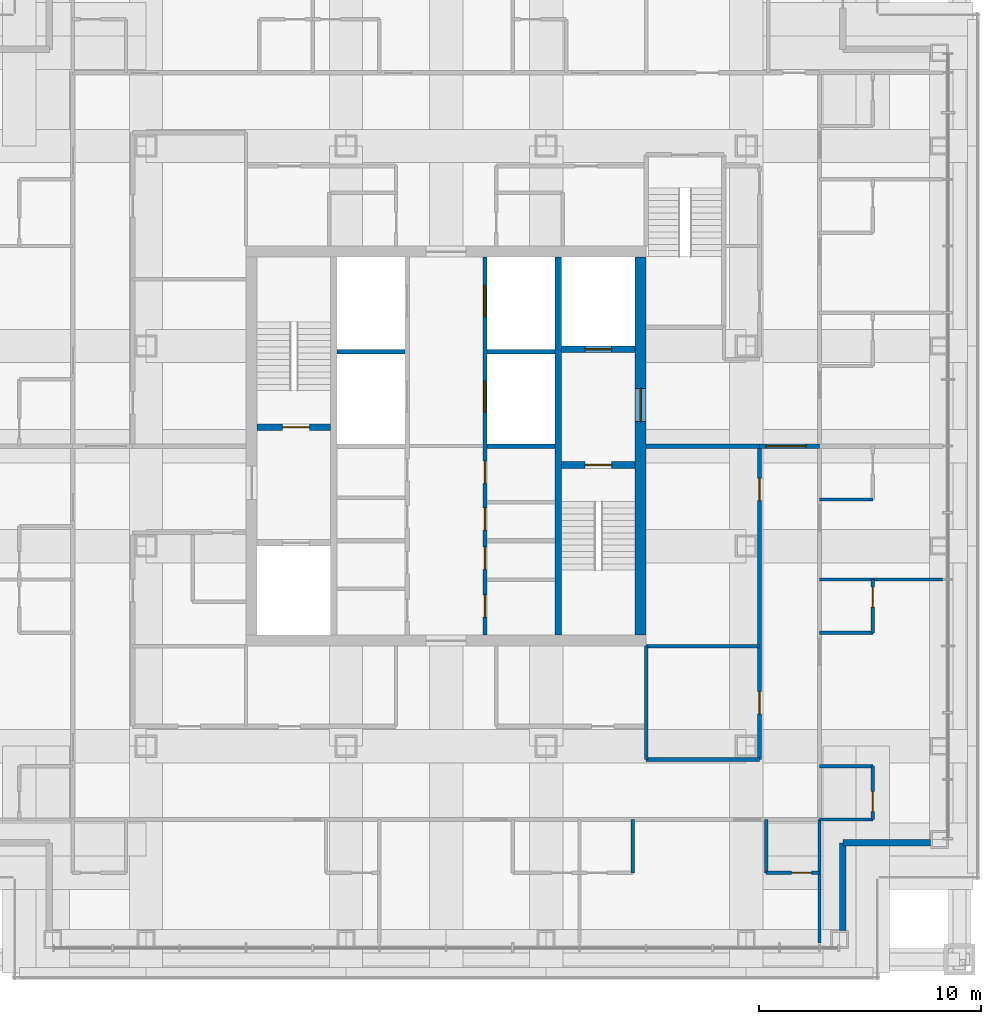
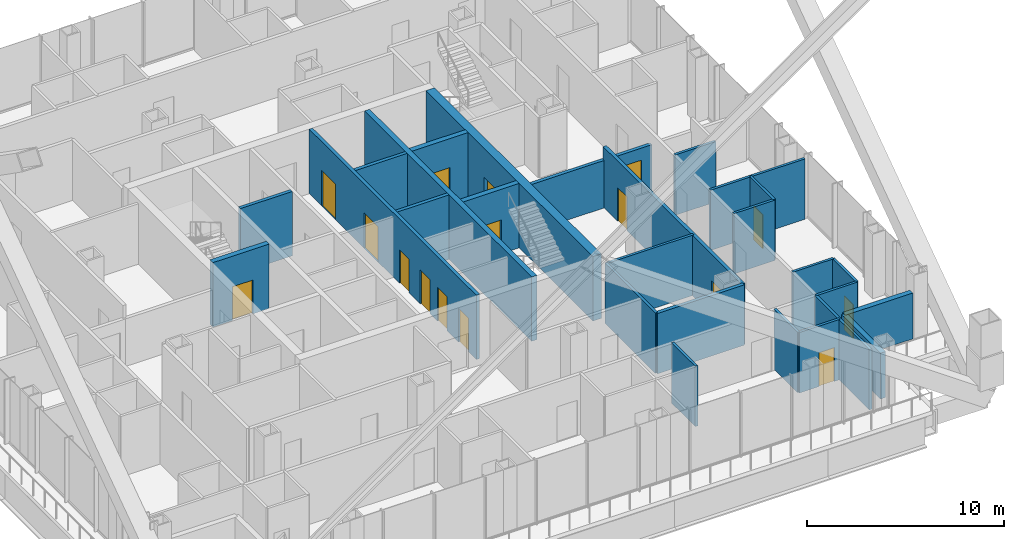
# One storey, part 13 of 18: 28 walls, 16 doors, 16 openings.
"""IFC4 building model written with IfcOpenShell, lengths in metres."""

from ifc_helpers import new_model, si_unit, direction, frame, frame_2d, origin, place, context, subcontext, project, spatial, rectangle, extrude, material, layer, layer_set, type_object, element, fill, save


model = new_model("IFC4")

# Units and contexts
model_context = context("Model", 3, precision=1e-05, world=origin(), true_north=direction((0.0, 1.0)))
body_context = subcontext(model_context, "Body", "Model", "MODEL_VIEW")
ifc_project = project(units=[si_unit("LENGTHUNIT", "METRE"), si_unit("AREAUNIT", "SQUARE_METRE"), si_unit("VOLUMEUNIT", "CUBIC_METRE"), si_unit("PLANEANGLEUNIT", "RADIAN"), si_unit("MASSUNIT", "GRAM", prefix="KILO")], contexts=[model_context])

# Site, building, storey
site_placement = place(None, origin())
site = spatial("IfcSite", under=ifc_project, at=site_placement, CompositionType="ELEMENT")
building_placement = place(site_placement, origin())
building = spatial("IfcBuilding", under=site, at=building_placement, Name="Malebo Sky Hospital", CompositionType="ELEMENT")
storey_placement = place(building_placement, frame((0.0, 0.0, 177.0)))
storey = spatial("IfcBuildingStorey", under=building, at=storey_placement, Name="L42", CompositionType="ELEMENT", Elevation=177.0)

# Wall, openings, doors
ifc_material_1 = material(Name="Concrete C80/95", Category="concrete")
ifc_layer_1 = layer(ifc_material_1, 0.199951171875)
ifc_layer_set_1 = layer_set([ifc_layer_1], Name="CORE INNER WALL 200")
wall_type_1 = type_object("IfcWallType", Name="CORE INNER WALL 200", PredefinedType="SHEAR", material=ifc_layer_set_1)
wall_1_placement = place(storey_placement, frame((61.75, 53.5, 0.0), z_axis=(0.0, 0.0, 1.0), x_axis=(0.0, 1.0, 0.0)))
wall_1 = element("IfcWall", 1, at=wall_1_placement, inside=storey, type_object=wall_type_1, Name="Core wall LE L42", PredefinedType="SHEAR", context=body_context, shape_type="SweptSolid", body=[
    extrude(rectangle(XDim=17.0, YDim=0.199951171875, at=frame_2d((8.5, 0.0))), origin(), (0.0, 0.0, 1.0), 4.0),
])
opening_1_placement = place(wall_1_placement, frame((0.8076171875, 0.0, 0.0)))
opening_1 = element("IfcOpeningElement", 2, at=opening_1_placement, cuts=wall_1, Name="Opening D17", PredefinedType="OPENING", context=body_context, shape_type="SweptSolid", body=[
    extrude(rectangle(XDim=1.0, YDim=2.10009765625, at=frame_2d((0.5, 1.050048828125))), frame((0.0, 0.10986328125, 0.0), z_axis=(0.0, -1.0, 0.0), x_axis=(1.0, 0.0, 0.0)), (0.0, 0.0, 1.0), 0.219970703125),
])
opening_2_placement = place(wall_1_placement, frame((2.95751953125, 0.0, 0.0)))
opening_2 = element("IfcOpeningElement", 3, at=opening_2_placement, cuts=wall_1, Name="Opening D17", PredefinedType="OPENING", context=body_context, shape_type="SweptSolid", body=[
    extrude(rectangle(XDim=1.0, YDim=2.10009765625, at=frame_2d((0.5, 1.050048828125))), frame((0.0, 0.10986328125, 0.0), z_axis=(0.0, -1.0, 0.0), x_axis=(1.0, 0.0, 0.0)), (0.0, 0.0, 1.0), 0.219970703125),
])
opening_3_placement = place(wall_1_placement, frame((4.722412109375, 0.0, 0.0)))
opening_3 = element("IfcOpeningElement", 4, at=opening_3_placement, cuts=wall_1, Name="Opening D17", PredefinedType="OPENING", context=body_context, shape_type="SweptSolid", body=[
    extrude(rectangle(XDim=1.0, YDim=2.10009765625, at=frame_2d((0.5, 1.050048828125))), frame((0.0, 0.10986328125, 0.0), z_axis=(0.0, -1.0, 0.0), x_axis=(1.0, 0.0, 0.0)), (0.0, 0.0, 1.0), 0.219970703125),
])
opening_4_placement = place(wall_1_placement, frame((6.822509765625, 0.0, 0.0)))
opening_4 = element("IfcOpeningElement", 5, at=opening_4_placement, cuts=wall_1, Name="Opening D17", PredefinedType="OPENING", context=body_context, shape_type="SweptSolid", body=[
    extrude(rectangle(XDim=1.0, YDim=2.10009765625, at=frame_2d((0.5, 1.050048828125))), frame((0.0, 0.10986328125, 0.0), z_axis=(0.0, -1.0, 0.0), x_axis=(1.0, 0.0, 0.0)), (0.0, 0.0, 1.0), 0.219970703125),
])
opening_5_placement = place(wall_1_placement, frame((10.02490234375, 0.0, 0.0)))
opening_5 = element("IfcOpeningElement", 6, at=opening_5_placement, cuts=wall_1, Name="Opening LD1", PredefinedType="OPENING", context=body_context, shape_type="SweptSolid", body=[
    extrude(rectangle(XDim=1.39990234375, YDim=2.199951171875, at=frame_2d((0.699951171875, 1.10009765625))), frame((0.0, 0.10986328125, 0.0), z_axis=(0.0, -1.0, 0.0), x_axis=(1.0, 0.0, 0.0)), (0.0, 0.0, 1.0), 0.219970703125),
])
opening_6_placement = place(wall_1_placement, frame((14.324951171875, 0.0, 0.0)))
opening_6 = element("IfcOpeningElement", 7, at=opening_6_placement, cuts=wall_1, Name="Opening LD1", PredefinedType="OPENING", context=body_context, shape_type="SweptSolid", body=[
    extrude(rectangle(XDim=1.39990234375, YDim=2.199951171875, at=frame_2d((0.699951171875, 1.10009765625))), frame((0.0, 0.10986328125, 0.0), z_axis=(0.0, -1.0, 0.0), x_axis=(1.0, 0.0, 0.0)), (0.0, 0.0, 1.0), 0.219970703125),
])
ifc_material_2 = material(Name="Hardwood-faced door leaf in steel frame", Category="steel")
door_type_1 = type_object("IfcDoorType", Name="FIRE DOOR 1000", OperationType="SINGLE_SWING_LEFT", PredefinedType="DOOR", material=ifc_material_2)
door_1_placement = place(opening_1_placement, origin())
door_1 = element("IfcDoor", 8, at=door_1_placement, inside=storey, type_object=door_type_1, Name="Cleaning equipment store door", OperationType="SINGLE_SWING_RIGHT", OverallHeight=2.10009765625, OverallWidth=1.0, PredefinedType="DOOR", context=body_context, shape_type="SweptSolid", body=[
    extrude(rectangle(XDim=1.0, YDim=2.10009765625, at=frame_2d((0.5, 1.050048828125))), frame((0.0, 0.02490234375, 0.0), z_axis=(0.0, -1.0, 0.0), x_axis=(1.0, 0.0, 0.0)), (0.0, 0.0, 1.0), 0.050048828125),
])
fill(opening_1, door_1)
door_2_placement = place(opening_2_placement, origin())
door_2 = element("IfcDoor", 9, at=door_2_placement, inside=storey, type_object=door_type_1, Name="Archive store door", OperationType="SINGLE_SWING_RIGHT", OverallHeight=2.10009765625, OverallWidth=1.0, PredefinedType="DOOR", context=body_context, shape_type="SweptSolid", body=[
    extrude(rectangle(XDim=1.0, YDim=2.10009765625, at=frame_2d((0.5, 1.050048828125))), frame((0.0, 0.02490234375, 0.0), z_axis=(0.0, -1.0, 0.0), x_axis=(1.0, 0.0, 0.0)), (0.0, 0.0, 1.0), 0.050048828125),
])
fill(opening_2, door_2)
door_3_placement = place(opening_3_placement, origin())
door_3 = element("IfcDoor", 10, at=door_3_placement, inside=storey, type_object=door_type_1, Name="General store door", OperationType="SINGLE_SWING_RIGHT", OverallHeight=2.10009765625, OverallWidth=1.0, PredefinedType="DOOR", context=body_context, shape_type="SweptSolid", body=[
    extrude(rectangle(XDim=1.0, YDim=2.10009765625, at=frame_2d((0.5, 1.050048828125))), frame((0.0, 0.02490234375, 0.0), z_axis=(0.0, -1.0, 0.0), x_axis=(1.0, 0.0, 0.0)), (0.0, 0.0, 1.0), 0.050048828125),
])
fill(opening_3, door_3)
door_4_placement = place(opening_4_placement, origin())
door_4 = element("IfcDoor", 11, at=door_4_placement, inside=storey, type_object=door_type_1, Name="Records store door", OperationType="SINGLE_SWING_RIGHT", OverallHeight=2.10009765625, OverallWidth=1.0, PredefinedType="DOOR", context=body_context, shape_type="SweptSolid", body=[
    extrude(rectangle(XDim=1.0, YDim=2.10009765625, at=frame_2d((0.5, 1.050048828125))), frame((0.0, 0.02490234375, 0.0), z_axis=(0.0, -1.0, 0.0), x_axis=(1.0, 0.0, 0.0)), (0.0, 0.0, 1.0), 0.050048828125),
])
fill(opening_4, door_4)
ifc_material_3 = material(Name="Stainless steel sliding landing door", Category="steel")
door_type_2 = type_object("IfcDoorType", Name="LIFT LANDING DOOR 1400", OperationType="SLIDING_TO_LEFT", PredefinedType="DOOR", material=ifc_material_3)
door_5_placement = place(opening_5_placement, origin())
door_5 = element("IfcDoor", 12, at=door_5_placement, inside=storey, type_object=door_type_2, Name="Lift E3 landing door", OperationType="SLIDING_TO_LEFT", OverallHeight=2.199951171875, OverallWidth=1.39990234375, PredefinedType="DOOR", context=body_context, shape_type="SweptSolid", body=[
    extrude(rectangle(XDim=1.39990234375, YDim=2.199951171875, at=frame_2d((0.699951171875, 1.10009765625))), frame((0.0, 0.02490234375, 0.0), z_axis=(0.0, -1.0, 0.0), x_axis=(1.0, 0.0, 0.0)), (0.0, 0.0, 1.0), 0.050048828125),
])
fill(opening_5, door_5)
door_6_placement = place(opening_6_placement, origin())
door_6 = element("IfcDoor", 13, at=door_6_placement, inside=storey, type_object=door_type_2, Name="Lift E4 landing door", OperationType="SLIDING_TO_LEFT", OverallHeight=2.199951171875, OverallWidth=1.39990234375, PredefinedType="DOOR", context=body_context, shape_type="SweptSolid", body=[
    extrude(rectangle(XDim=1.39990234375, YDim=2.199951171875, at=frame_2d((0.699951171875, 1.10009765625))), frame((0.0, 0.02490234375, 0.0), z_axis=(0.0, -1.0, 0.0), x_axis=(1.0, 0.0, 0.0)), (0.0, 0.0, 1.0), 0.050048828125),
])
fill(opening_6, door_6)

# Walls
for number, where, z_axis, x_axis, name in (
    (14, (61.85009765625, 62.0, 0.0), (0.0, 0.0, 1.0), (1.0, 0.0, 0.0), "Core wall SE1 L42"),
    (15, (55.10009765625, 66.25, 0.0), (0.0, 0.0, 1.0), (1.0, 0.0, 0.0), "Core wall SW2 L42"),
    (16, (61.85009765625, 66.25, 0.0), (0.0, 0.0, 1.0), (1.0, 0.0, 0.0), "Core wall SE2 L42"),
):
    element("IfcWall", number, at=place(storey_placement, frame(where, z_axis=z_axis, x_axis=x_axis)), inside=storey, type_object=wall_type_1, Name=name, PredefinedType="SHEAR", context=body_context, shape_type="SweptSolid", body=[
        extrude(rectangle(XDim=3.0498046875, YDim=0.199951171875, at=frame_2d((1.52490234375, 0.0))), origin(), (0.0, 0.0, 1.0), 4.0),
    ])
ifc_layer_2 = layer(ifc_material_1, 0.300048828125)
ifc_layer_set_2 = layer_set([ifc_layer_2], Name="CORE INNER WALL 300")
wall_type_2 = type_object("IfcWallType", Name="CORE INNER WALL 300", PredefinedType="SHEAR", material=ifc_layer_set_2)
wall_2_placement = place(storey_placement, frame((65.050048828125, 53.5, 0.0), z_axis=(0.0, 0.0, 1.0), x_axis=(0.0, 1.0, 0.0)))
element("IfcWall", 17, at=wall_2_placement, inside=storey, type_object=wall_type_2, Name="Core wall XE L42", PredefinedType="SHEAR", context=body_context, shape_type="SweptSolid", body=[
    extrude(rectangle(XDim=17.0, YDim=0.300048828125, at=frame_2d((8.5, 0.0))), origin(), (0.0, 0.0, 1.0), 4.0),
])

# Wall, opening, door
wall_3_placement = place(storey_placement, frame((51.5, 62.85009765625, 0.0), z_axis=(0.0, 0.0, 1.0), x_axis=(1.0, 0.0, 0.0)))
wall_3 = element("IfcWall", 18, at=wall_3_placement, inside=storey, type_object=wall_type_2, Name="Core wall W1 L42", PredefinedType="SHEAR", context=body_context, shape_type="SweptSolid", body=[
    extrude(rectangle(XDim=3.300048828125, YDim=0.300048828125, at=frame_2d((1.64990234375, 0.0))), origin(), (0.0, 0.0, 1.0), 4.0),
])
opening_7_placement = place(wall_3_placement, frame((1.14990234375, 0.0, 0.0)))
opening_7 = element("IfcOpeningElement", 19, at=opening_7_placement, cuts=wall_3, Name="Opening D08", PredefinedType="OPENING", context=body_context, shape_type="SweptSolid", body=[
    extrude(rectangle(XDim=1.199951171875, YDim=2.10009765625, at=frame_2d((0.60009765625, 1.050048828125))), frame((0.0, 0.159912109375, 0.0), z_axis=(0.0, -1.0, 0.0), x_axis=(1.0, 0.0, 0.0)), (0.0, 0.0, 1.0), 0.320068359375),
])
door_type_3 = type_object("IfcDoorType", Name="STAIR DOOR 1200", OperationType="SINGLE_SWING_LEFT", PredefinedType="DOOR", material=ifc_material_2)
door_7_placement = place(opening_7_placement, origin())
door_7 = element("IfcDoor", 20, at=door_7_placement, inside=storey, type_object=door_type_3, Name="Stair S1 door", OperationType="SINGLE_SWING_RIGHT", OverallHeight=2.10009765625, OverallWidth=1.199951171875, PredefinedType="DOOR", context=body_context, shape_type="SweptSolid", body=[
    extrude(rectangle(XDim=1.199951171875, YDim=2.10009765625, at=frame_2d((0.60009765625, 1.050048828125))), frame((0.0, 0.02490234375, 0.0), z_axis=(0.0, -1.0, 0.0), x_axis=(1.0, 0.0, 0.0)), (0.0, 0.0, 1.0), 0.050048828125),
])
fill(opening_7, door_7)

wall_4_placement = place(storey_placement, frame((65.199951171875, 61.14990234375, 0.0), z_axis=(0.0, 0.0, 1.0), x_axis=(1.0, 0.0, 0.0)))
wall_4 = element("IfcWall", 21, at=wall_4_placement, inside=storey, type_object=wall_type_2, Name="Core wall E1 L42", PredefinedType="SHEAR", context=body_context, shape_type="SweptSolid", body=[
    extrude(rectangle(XDim=3.300048828125, YDim=0.300048828125, at=frame_2d((1.64990234375, 0.0))), origin(), (0.0, 0.0, 1.0), 4.0),
])
opening_8_placement = place(wall_4_placement, frame((1.050048828125, 0.0, 0.0)))
opening_8 = element("IfcOpeningElement", 22, at=opening_8_placement, cuts=wall_4, Name="Opening D08", PredefinedType="OPENING", context=body_context, shape_type="SweptSolid", body=[
    extrude(rectangle(XDim=1.199951171875, YDim=2.10009765625, at=frame_2d((0.60009765625, 1.050048828125))), frame((0.0, 0.159912109375, 0.0), z_axis=(0.0, -1.0, 0.0), x_axis=(1.0, 0.0, 0.0)), (0.0, 0.0, 1.0), 0.320068359375),
])
door_8_placement = place(opening_8_placement, origin())
door_8 = element("IfcDoor", 23, at=door_8_placement, inside=storey, type_object=door_type_3, Name="Stair S2 door", OperationType="SINGLE_SWING_LEFT", OverallHeight=2.10009765625, OverallWidth=1.199951171875, PredefinedType="DOOR", context=body_context, shape_type="SweptSolid", body=[
    extrude(rectangle(XDim=1.199951171875, YDim=2.10009765625, at=frame_2d((0.60009765625, 1.050048828125))), frame((0.0, 0.02490234375, 0.0), z_axis=(0.0, -1.0, 0.0), x_axis=(1.0, 0.0, 0.0)), (0.0, 0.0, 1.0), 0.050048828125),
])
fill(opening_8, door_8)

wall_5_placement = place(storey_placement, frame((65.199951171875, 66.35009765625, 0.0), z_axis=(0.0, 0.0, 1.0), x_axis=(1.0, 0.0, 0.0)))
wall_5 = element("IfcWall", 24, at=wall_5_placement, inside=storey, type_object=wall_type_2, Name="Core wall E2 L42", PredefinedType="SHEAR", context=body_context, shape_type="SweptSolid", body=[
    extrude(rectangle(XDim=3.300048828125, YDim=0.300048828125, at=frame_2d((1.64990234375, 0.0))), origin(), (0.0, 0.0, 1.0), 4.0),
])
opening_9_placement = place(wall_5_placement, frame((1.050048828125, 0.0, 0.0)))
opening_9 = element("IfcOpeningElement", 25, at=opening_9_placement, cuts=wall_5, Name="Opening LD2", PredefinedType="OPENING", context=body_context, shape_type="SweptSolid", body=[
    extrude(rectangle(XDim=1.199951171875, YDim=2.199951171875, at=frame_2d((0.60009765625, 1.10009765625))), frame((0.0, 0.159912109375, 0.0), z_axis=(0.0, -1.0, 0.0), x_axis=(1.0, 0.0, 0.0)), (0.0, 0.0, 1.0), 0.320068359375),
])
door_type_4 = type_object("IfcDoorType", Name="FIRE-FIGHTING LIFT LANDING DOOR 1200", OperationType="SLIDING_TO_LEFT", PredefinedType="DOOR", material=ifc_material_3)
door_9_placement = place(opening_9_placement, origin())
door_9 = element("IfcDoor", 26, at=door_9_placement, inside=storey, type_object=door_type_4, Name="Lift FL2 landing door", OperationType="SLIDING_TO_LEFT", OverallHeight=2.199951171875, OverallWidth=1.199951171875, PredefinedType="DOOR", context=body_context, shape_type="SweptSolid", body=[
    extrude(rectangle(XDim=1.199951171875, YDim=2.199951171875, at=frame_2d((0.60009765625, 1.10009765625))), frame((0.0, 0.02490234375, 0.0), z_axis=(0.0, -1.0, 0.0), x_axis=(1.0, 0.0, 0.0)), (0.0, 0.0, 1.0), 0.050048828125),
])
fill(opening_9, door_9)

ifc_layer_3 = layer(ifc_material_1, 0.5)
ifc_layer_set_3 = layer_set([ifc_layer_3], Name="CORE WALL 500")
wall_type_3 = type_object("IfcWallType", Name="CORE WALL 500", PredefinedType="SHEAR", material=ifc_layer_set_3)
wall_6_placement = place(storey_placement, frame((68.75, 53.5, 0.0), z_axis=(0.0, 0.0, 1.0), x_axis=(0.0, 1.0, 0.0)))
wall_6 = element("IfcWall", 27, at=wall_6_placement, inside=storey, type_object=wall_type_3, Name="Core wall E L42", PredefinedType="SHEAR", context=body_context, shape_type="SweptSolid", body=[
    extrude(rectangle(XDim=17.0, YDim=0.5, at=frame_2d((8.5, 0.0))), origin(), (0.0, 0.0, 1.0), 4.0),
])
opening_10_placement = place(wall_6_placement, frame((9.60009765625, 0.0, 0.0)))
opening_10 = element("IfcOpeningElement", 28, at=opening_10_placement, cuts=wall_6, Name="Opening D07", PredefinedType="OPENING", context=body_context, shape_type="SweptSolid", body=[
    extrude(rectangle(XDim=1.5, YDim=2.199951171875, at=frame_2d((0.75, 1.10009765625))), frame((0.0, 0.260009765625, 0.0), z_axis=(0.0, -1.0, 0.0), x_axis=(1.0, 0.0, 0.0)), (0.0, 0.0, 1.0), 0.52001953125),
])
door_type_5 = type_object("IfcDoorType", Name="FIRE-FIGHTING LOBBY DOOR PAIR 1500", OperationType="DOUBLE_DOOR_SINGLE_SWING", PredefinedType="DOOR", material=ifc_material_2)
door_10_placement = place(opening_10_placement, origin())
door_10 = element("IfcDoor", 29, at=door_10_placement, inside=storey, type_object=door_type_5, Name="Fire-fighting lobby door east", OperationType="DOUBLE_DOOR_SINGLE_SWING", OverallHeight=2.199951171875, OverallWidth=1.5, PredefinedType="DOOR", context=body_context, shape_type="SweptSolid", body=[
    extrude(rectangle(XDim=1.5, YDim=2.199951171875, at=frame_2d((0.75, 1.10009765625))), frame((0.0, 0.02490234375, 0.0), z_axis=(0.0, -1.0, 0.0), x_axis=(1.0, 0.0, 0.0)), (0.0, 0.0, 1.0), 0.050048828125),
])
fill(opening_10, door_10)

# Wall
ifc_material_4 = material(Name="Gypsum board on steel studs", Category="steel")
ifc_layer_4 = layer(ifc_material_4, 0.199951171875)
ifc_layer_set_4 = layer_set([ifc_layer_4], Name="CORRIDOR WALL 200")
wall_type_4 = type_object("IfcWallType", Name="CORRIDOR WALL 200", PredefinedType="PARTITIONING", material=ifc_layer_set_4)
wall_7_placement = place(storey_placement, frame((74.10009765625, 47.89990234375, 0.0), z_axis=(0.0, 0.0, 1.0), x_axis=(-1.0, 0.0, 0.0)))
element("IfcWall", 30, at=wall_7_placement, inside=storey, type_object=wall_type_4, Name="Corridor Wall 200 SCIK", PredefinedType="PARTITIONING", context=body_context, shape_type="SweptSolid", body=[
    extrude(rectangle(XDim=5.10009765625, YDim=0.199951171875, at=frame_2d((2.550048828125, 0.0))), origin(), (0.0, 0.0, 1.0), 3.75),
])

# Wall, openings, doors
wall_8_placement = place(storey_placement, frame((74.10009765625, 62.0, 0.0), z_axis=(0.0, 0.0, 1.0), x_axis=(0.0, -1.0, 0.0)))
wall_8 = element("IfcWall", 31, at=wall_8_placement, inside=storey, type_object=wall_type_4, Name="Corridor Wall 200 ECI2", PredefinedType="PARTITIONING", context=body_context, shape_type="SweptSolid", body=[
    extrude(rectangle(XDim=14.10009765625, YDim=0.199951171875, at=frame_2d((7.050048828125, 0.0))), origin(), (0.0, 0.0, 1.0), 3.75),
])
opening_11_placement = place(wall_8_placement, frame((1.449951171875, 0.0, 0.0)))
opening_11 = element("IfcOpeningElement", 32, at=opening_11_placement, cuts=wall_8, Name="Opening D03", PredefinedType="OPENING", context=body_context, shape_type="SweptSolid", body=[
    extrude(rectangle(XDim=1.0, YDim=2.10009765625, at=frame_2d((0.5, 1.050048828125))), frame((0.0, 0.10986328125, 0.0), z_axis=(0.0, -1.0, 0.0), x_axis=(1.0, 0.0, 0.0)), (0.0, 0.0, 1.0), 0.219970703125),
])
opening_12_placement = place(wall_8_placement, frame((11.050048828125, 0.0, 0.0)))
opening_12 = element("IfcOpeningElement", 33, at=opening_12_placement, cuts=wall_8, Name="Opening D03", PredefinedType="OPENING", context=body_context, shape_type="SweptSolid", body=[
    extrude(rectangle(XDim=1.0, YDim=2.10009765625, at=frame_2d((0.5, 1.050048828125))), frame((0.0, 0.10986328125, 0.0), z_axis=(0.0, -1.0, 0.0), x_axis=(1.0, 0.0, 0.0)), (0.0, 0.0, 1.0), 0.219970703125),
])
door_type_6 = type_object("IfcDoorType", Name="ROOM DOOR 1000", OperationType="SINGLE_SWING_LEFT", PredefinedType="DOOR", material=ifc_material_2)
door_11_placement = place(opening_11_placement, origin())
door_11 = element("IfcDoor", 34, at=door_11_placement, inside=storey, type_object=door_type_6, Name="Nurse station door", OperationType="SINGLE_SWING_LEFT", OverallHeight=2.10009765625, OverallWidth=1.0, PredefinedType="DOOR", context=body_context, shape_type="SweptSolid", body=[
    extrude(rectangle(XDim=1.0, YDim=2.10009765625, at=frame_2d((0.5, 1.050048828125))), frame((0.0, 0.02490234375, 0.0), z_axis=(0.0, -1.0, 0.0), x_axis=(1.0, 0.0, 0.0)), (0.0, 0.0, 1.0), 0.050048828125),
])
fill(opening_11, door_11)
door_12_placement = place(opening_12_placement, origin())
door_12 = element("IfcDoor", 35, at=door_12_placement, inside=storey, type_object=door_type_6, Name="Ward office door", OperationType="SINGLE_SWING_RIGHT", OverallHeight=2.10009765625, OverallWidth=1.0, PredefinedType="DOOR", context=body_context, shape_type="SweptSolid", body=[
    extrude(rectangle(XDim=1.0, YDim=2.10009765625, at=frame_2d((0.5, 1.050048828125))), frame((0.0, 0.02490234375, 0.0), z_axis=(0.0, -1.0, 0.0), x_axis=(1.0, 0.0, 0.0)), (0.0, 0.0, 1.0), 0.050048828125),
])
fill(opening_12, door_12)

# Walls
ifc_material_5 = material(Name="Anodised aluminium rainscreen on steel framing", Category="steel")
ifc_layer_5 = layer(ifc_material_5, 0.300048828125)
ifc_layer_set_5 = layer_set([ifc_layer_5], Name="NOTCH RAINSCREEN WALL 300")
wall_type_5 = type_object("IfcWallType", Name="NOTCH RAINSCREEN WALL 300", PredefinedType="ELEMENTEDWALL", material=ifc_layer_set_5)
for number, where, z_axis, x_axis, name in (
    (36, (81.800048828125, 44.14990234375, 0.0), (0.0, 0.0, 1.0), (-1.0, 0.0, 0.0), "Notch rainscreen wall E1 L42"),
    (37, (77.85009765625, 44.14990234375, 0.0), (0.0, 0.0, 1.0), (0.0, -1.0, 0.0), "Notch rainscreen wall E2 L42"),
):
    element("IfcWall", number, at=place(storey_placement, frame(where, z_axis=z_axis, x_axis=x_axis)), inside=storey, type_object=wall_type_5, Name=name, PredefinedType="ELEMENTEDWALL", context=body_context, shape_type="SweptSolid", body=[
        extrude(rectangle(XDim=3.949951171875, YDim=0.300048828125, at=frame_2d((1.97509765625, 0.0))), origin(), (0.0, 0.0, 1.0), 2.85009765625),
    ])
ifc_layer_6 = layer(ifc_material_4, 0.14990234375)
ifc_layer_set_6 = layer_set([ifc_layer_6], Name="PARTITION 150")
wall_type_6 = type_object("IfcWallType", Name="PARTITION 150", PredefinedType="PARTITIONING", material=ifc_layer_set_6)
wall_9_placement = place(storey_placement, frame((76.800048828125, 45.199951171875, 0.0), z_axis=(0.0, 0.0, 1.0), x_axis=(0.0, -1.0, 0.0)))
element("IfcWall", 38, at=wall_9_placement, inside=storey, type_object=wall_type_6, Name="Partition 150 SP0", PredefinedType="PARTITIONING", context=body_context, shape_type="SweptSolid", body=[
    extrude(rectangle(XDim=5.550048828125, YDim=0.14990234375, at=frame_2d((2.77490234375, 0.0))), origin(), (0.0, 0.0, 1.0), 3.75),
])

# Wall, opening, door
wall_10_placement = place(storey_placement, frame((76.800048828125, 42.800048828125, 0.0), z_axis=(0.0, 0.0, 1.0), x_axis=(-1.0, 0.0, 0.0)))
wall_10 = element("IfcWall", 39, at=wall_10_placement, inside=storey, type_object=wall_type_6, Name="Partition 150 SE0F", PredefinedType="PARTITIONING", context=body_context, shape_type="SweptSolid", body=[
    extrude(rectangle(XDim=2.400146484375, YDim=0.14990234375, at=frame_2d((1.2001953125, 0.0))), origin(), (0.0, 0.0, 1.0), 3.75),
])
opening_13_placement = place(wall_10_placement, frame((0.35009765625, 0.0, 0.0)))
opening_13 = element("IfcOpeningElement", 40, at=opening_13_placement, cuts=wall_10, Name="Opening D02", PredefinedType="OPENING", context=body_context, shape_type="SweptSolid", body=[
    extrude(rectangle(XDim=0.89990234375, YDim=2.10009765625, at=frame_2d((0.449951171875, 1.050048828125))), frame((0.0, 0.0849609375, 0.0), z_axis=(0.0, -1.0, 0.0), x_axis=(1.0, 0.0, 0.0)), (0.0, 0.0, 1.0), 0.169921875),
])
door_type_7 = type_object("IfcDoorType", Name="EN-SUITE DOOR 900", OperationType="SINGLE_SWING_LEFT", PredefinedType="DOOR", material=ifc_material_2)
door_13_placement = place(opening_13_placement, origin())
door_13 = element("IfcDoor", 41, at=door_13_placement, inside=storey, type_object=door_type_7, Name="En-suite door", OperationType="SINGLE_SWING_LEFT", OverallHeight=2.10009765625, OverallWidth=0.89990234375, PredefinedType="DOOR", context=body_context, shape_type="SweptSolid", body=[
    extrude(rectangle(XDim=0.89990234375, YDim=2.10009765625, at=frame_2d((0.449951171875, 1.050048828125))), frame((0.0, 0.02490234375, 0.0), z_axis=(0.0, -1.0, 0.0), x_axis=(1.0, 0.0, 0.0)), (0.0, 0.0, 1.0), 0.050048828125),
])
fill(opening_13, door_13)

# Walls
for number, where, z_axis, x_axis, name in (
    (42, (74.39990234375, 45.199951171875, 0.0), (0.0, 0.0, 1.0), (0.0, -1.0, 0.0), "Partition 150 SE0S"),
    (43, (68.39990234375, 45.199951171875, 0.0), (0.0, 0.0, 1.0), (0.0, -1.0, 0.0), "Partition 150 SG0S"),
):
    element("IfcWall", number, at=place(storey_placement, frame(where, z_axis=z_axis, x_axis=x_axis)), inside=storey, type_object=wall_type_6, Name=name, PredefinedType="PARTITIONING", context=body_context, shape_type="SweptSolid", body=[
        extrude(rectangle(XDim=2.39990234375, YDim=0.14990234375, at=frame_2d((1.199951171875, 0.0))), origin(), (0.0, 0.0, 1.0), 3.75),
    ])
wall_11_placement = place(storey_placement, frame((69.0, 53.0, 0.0), z_axis=(0.0, 0.0, 1.0), x_axis=(0.0, -1.0, 0.0)))
element("IfcWall", 44, at=wall_11_placement, inside=storey, type_object=wall_type_6, Name="Partition 150 SSP0", PredefinedType="PARTITIONING", context=body_context, shape_type="SweptSolid", body=[
    extrude(rectangle(XDim=5.10009765625, YDim=0.14990234375, at=frame_2d((2.550048828125, 0.0))), origin(), (0.0, 0.0, 1.0), 3.75),
])
wall_12_placement = place(storey_placement, frame((76.800048828125, 56.0, 0.0), z_axis=(0.0, 0.0, 1.0), x_axis=(1.0, 0.0, 0.0)))
element("IfcWall", 45, at=wall_12_placement, inside=storey, type_object=wall_type_6, Name="Partition 150 EP+6.0", PredefinedType="PARTITIONING", context=body_context, shape_type="SweptSolid", body=[
    extrude(rectangle(XDim=5.550048828125, YDim=0.14990234375, at=frame_2d((2.77490234375, 0.0))), origin(), (0.0, 0.0, 1.0), 3.75),
])
wall_13_placement = place(storey_placement, frame((76.800048828125, 59.60009765625, 0.0), z_axis=(0.0, 0.0, 1.0), x_axis=(1.0, 0.0, 0.0)))
element("IfcWall", 46, at=wall_13_placement, inside=storey, type_object=wall_type_6, Name="Partition 150 EE3S", PredefinedType="PARTITIONING", context=body_context, shape_type="SweptSolid", body=[
    extrude(rectangle(XDim=2.39990234375, YDim=0.14990234375, at=frame_2d((1.199951171875, 0.0))), origin(), (0.0, 0.0, 1.0), 3.75),
])

# Wall, opening, door
wall_14_placement = place(storey_placement, frame((79.199951171875, 56.0, 0.0), z_axis=(0.0, 0.0, 1.0), x_axis=(0.0, -1.0, 0.0)))
wall_14 = element("IfcWall", 47, at=wall_14_placement, inside=storey, type_object=wall_type_6, Name="Partition 150 EE4F", PredefinedType="PARTITIONING", context=body_context, shape_type="SweptSolid", body=[
    extrude(rectangle(XDim=2.39990234375, YDim=0.14990234375, at=frame_2d((1.199951171875, 0.0))), origin(), (0.0, 0.0, 1.0), 3.75),
])
opening_14_placement = place(wall_14_placement, frame((0.35009765625, 0.0, 0.0)))
opening_14 = element("IfcOpeningElement", 48, at=opening_14_placement, cuts=wall_14, Name="Opening D02", PredefinedType="OPENING", context=body_context, shape_type="SweptSolid", body=[
    extrude(rectangle(XDim=0.89990234375, YDim=2.10009765625, at=frame_2d((0.449951171875, 1.050048828125))), frame((0.0, 0.0849609375, 0.0), z_axis=(0.0, -1.0, 0.0), x_axis=(1.0, 0.0, 0.0)), (0.0, 0.0, 1.0), 0.169921875),
])
door_14_placement = place(opening_14_placement, origin())
door_14 = element("IfcDoor", 49, at=door_14_placement, inside=storey, type_object=door_type_7, Name="En-suite door", OperationType="SINGLE_SWING_LEFT", OverallHeight=2.10009765625, OverallWidth=0.89990234375, PredefinedType="DOOR", context=body_context, shape_type="SweptSolid", body=[
    extrude(rectangle(XDim=0.89990234375, YDim=2.10009765625, at=frame_2d((0.449951171875, 1.050048828125))), frame((0.0, 0.02490234375, 0.0), z_axis=(0.0, -1.0, 0.0), x_axis=(1.0, 0.0, 0.0)), (0.0, 0.0, 1.0), 0.050048828125),
])
fill(opening_14, door_14)

# Wall
wall_15_placement = place(storey_placement, frame((76.800048828125, 53.60009765625, 0.0), z_axis=(0.0, 0.0, 1.0), x_axis=(1.0, 0.0, 0.0)))
element("IfcWall", 50, at=wall_15_placement, inside=storey, type_object=wall_type_6, Name="Partition 150 EE4S", PredefinedType="PARTITIONING", context=body_context, shape_type="SweptSolid", body=[
    extrude(rectangle(XDim=2.39990234375, YDim=0.14990234375, at=frame_2d((1.199951171875, 0.0))), origin(), (0.0, 0.0, 1.0), 3.75),
])

# Wall, opening, door
wall_16_placement = place(storey_placement, frame((79.199951171875, 47.60009765625, 0.0), z_axis=(0.0, 0.0, 1.0), x_axis=(0.0, -1.0, 0.0)))
wall_16 = element("IfcWall", 51, at=wall_16_placement, inside=storey, type_object=wall_type_6, Name="Partition 150 EG4F", PredefinedType="PARTITIONING", context=body_context, shape_type="SweptSolid", body=[
    extrude(rectangle(XDim=2.400146484375, YDim=0.14990234375, at=frame_2d((1.2001953125, 0.0))), origin(), (0.0, 0.0, 1.0), 3.75),
])
opening_15_placement = place(wall_16_placement, frame((1.14990234375, 0.0, 0.0)))
opening_15 = element("IfcOpeningElement", 52, at=opening_15_placement, cuts=wall_16, Name="Opening D02", PredefinedType="OPENING", context=body_context, shape_type="SweptSolid", body=[
    extrude(rectangle(XDim=0.89990234375, YDim=2.10009765625, at=frame_2d((0.449951171875, 1.050048828125))), frame((0.0, 0.0849609375, 0.0), z_axis=(0.0, -1.0, 0.0), x_axis=(1.0, 0.0, 0.0)), (0.0, 0.0, 1.0), 0.169921875),
])
door_15_placement = place(opening_15_placement, origin())
door_15 = element("IfcDoor", 53, at=door_15_placement, inside=storey, type_object=door_type_7, Name="En-suite door", OperationType="SINGLE_SWING_RIGHT", OverallHeight=2.10009765625, OverallWidth=0.89990234375, PredefinedType="DOOR", context=body_context, shape_type="SweptSolid", body=[
    extrude(rectangle(XDim=0.89990234375, YDim=2.10009765625, at=frame_2d((0.449951171875, 1.050048828125))), frame((0.0, 0.02490234375, 0.0), z_axis=(0.0, -1.0, 0.0), x_axis=(1.0, 0.0, 0.0)), (0.0, 0.0, 1.0), 0.050048828125),
])
fill(opening_15, door_15)

# Walls
for number, where, z_axis, x_axis, name in (
    (54, (76.800048828125, 47.60009765625, 0.0), (0.0, 0.0, 1.0), (1.0, 0.0, 0.0), "Partition 150 EG4S"),
    (55, (76.800048828125, 45.199951171875, 0.0), (0.0, 0.0, 1.0), (1.0, 0.0, 0.0), "Partition 150 EEZ"),
):
    element("IfcWall", number, at=place(storey_placement, frame(where, z_axis=z_axis, x_axis=x_axis)), inside=storey, type_object=wall_type_6, Name=name, PredefinedType="PARTITIONING", context=body_context, shape_type="SweptSolid", body=[
        extrude(rectangle(XDim=2.39990234375, YDim=0.14990234375, at=frame_2d((1.199951171875, 0.0))), origin(), (0.0, 0.0, 1.0), 3.75),
    ])
wall_17_placement = place(storey_placement, frame((69.0, 53.0, 0.0), z_axis=(0.0, 0.0, 1.0), x_axis=(1.0, 0.0, 0.0)))
element("IfcWall", 56, at=wall_17_placement, inside=storey, type_object=wall_type_6, Name="Partition 150 ESP+9.0", PredefinedType="PARTITIONING", context=body_context, shape_type="SweptSolid", body=[
    extrude(rectangle(XDim=5.10009765625, YDim=0.14990234375, at=frame_2d((2.550048828125, 0.0))), origin(), (0.0, 0.0, 1.0), 3.75),
])
ifc_material_6 = material(Name="Concrete blockwork", Category="masonry")
ifc_layer_7 = layer(ifc_material_6, 0.199951171875)
ifc_layer_set_7 = layer_set([ifc_layer_7], Name="SMOKE BARRIER WALL 200")
wall_type_7 = type_object("IfcWallType", Name="SMOKE BARRIER WALL 200", PredefinedType="SOLIDWALL", material=ifc_layer_set_7)
wall_18_placement = place(storey_placement, frame((69.0, 62.0, 0.0), z_axis=(0.0, 0.0, 1.0), x_axis=(1.0, 0.0, 0.0)))
element("IfcWall", 57, at=wall_18_placement, inside=storey, type_object=wall_type_7, Name="Smoke Barrier Wall 200 ESPB", PredefinedType="SOLIDWALL", context=body_context, shape_type="SweptSolid", body=[
    extrude(rectangle(XDim=5.10009765625, YDim=0.199951171875, at=frame_2d((2.550048828125, 0.0))), origin(), (0.0, 0.0, 1.0), 2.949951171875),
])

# Wall, opening, door
wall_19_placement = place(storey_placement, frame((74.10009765625, 62.0, 0.0), z_axis=(0.0, 0.0, 1.0), x_axis=(1.0, 0.0, 0.0)))
wall_19 = element("IfcWall", 58, at=wall_19_placement, inside=storey, type_object=wall_type_7, Name="Smoke Barrier Wall 200 ESB", PredefinedType="SOLIDWALL", context=body_context, shape_type="SweptSolid", body=[
    extrude(rectangle(XDim=2.699951171875, YDim=0.199951171875, at=frame_2d((1.35009765625, 0.0))), origin(), (0.0, 0.0, 1.0), 2.949951171875),
])
opening_16_placement = place(wall_19_placement, frame((0.300048828125, 0.0, 0.0)))
opening_16 = element("IfcOpeningElement", 59, at=opening_16_placement, cuts=wall_19, Name="Opening D05", PredefinedType="OPENING", context=body_context, shape_type="SweptSolid", body=[
    extrude(rectangle(XDim=1.800048828125, YDim=2.199951171875, at=frame_2d((0.89990234375, 1.10009765625))), frame((0.0, 0.10986328125, 0.0), z_axis=(0.0, -1.0, 0.0), x_axis=(1.0, 0.0, 0.0)), (0.0, 0.0, 1.0), 0.219970703125),
])
door_type_8 = type_object("IfcDoorType", Name="SMOKE DOOR PAIR 1800", OperationType="DOUBLE_DOOR_DOUBLE_SWING", PredefinedType="DOOR", material=ifc_material_2)
door_16_placement = place(opening_16_placement, origin())
door_16 = element("IfcDoor", 60, at=door_16_placement, inside=storey, type_object=door_type_8, Name="Smoke compartment door pair", OperationType="DOUBLE_DOOR_DOUBLE_SWING", OverallHeight=2.199951171875, OverallWidth=1.800048828125, PredefinedType="DOOR", context=body_context, shape_type="SweptSolid", body=[
    extrude(rectangle(XDim=1.800048828125, YDim=2.199951171875, at=frame_2d((0.89990234375, 1.10009765625))), frame((0.0, 0.02490234375, 0.0), z_axis=(0.0, -1.0, 0.0), x_axis=(1.0, 0.0, 0.0)), (0.0, 0.0, 1.0), 0.050048828125),
])
fill(opening_16, door_16)

save(model, "model.ifc")
